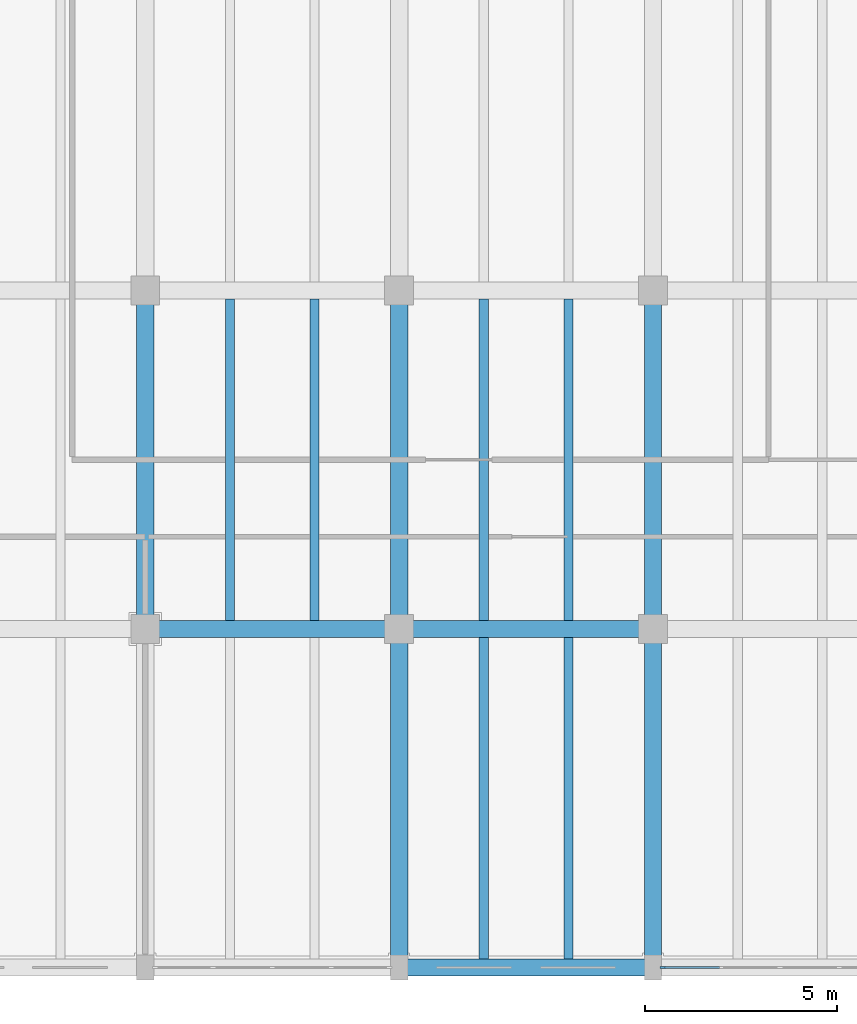
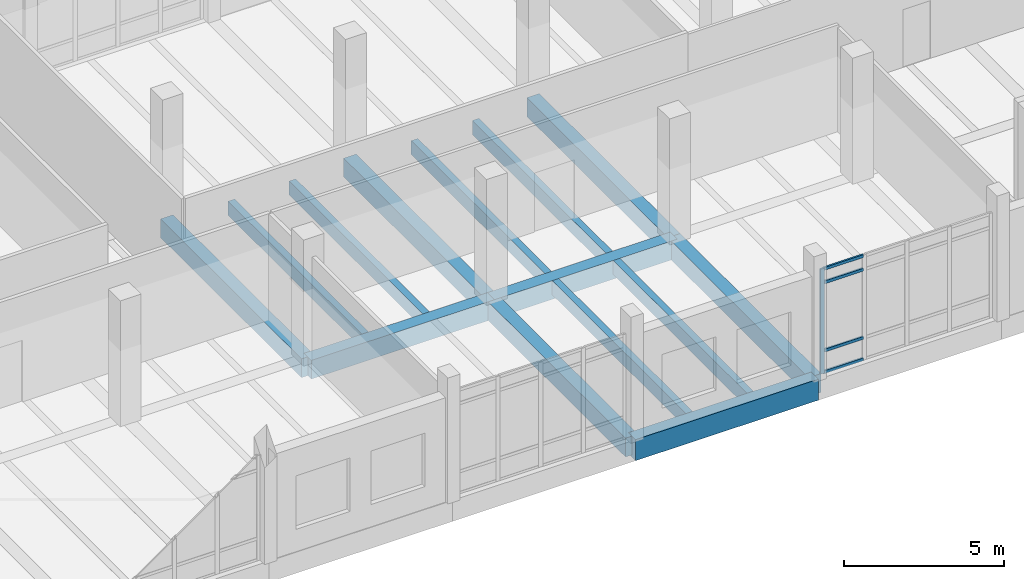
# One storey, part 47 of 125: 14 beams, 5 members, 1 element without a shape of its own.
"""IFC4 building model written with IfcOpenShell, lengths in metres."""

import ifcopenshell
import ifcopenshell.guid

model = None  # the IFC model being written
_history = None  # IfcOwnerHistory: only IFC2X3 demands one
_inside = {}  # id of a spatial element -> (the spatial element, [elements in it])
_under = {}  # id of a project, library or spatial element -> (it, [spatial elements below it])
_declared = {}  # id of a project -> (the project, [libraries it declares])
_typed = {}  # id of a type object -> (the type object, [elements of that type])
_made_of = {}  # id of a material, layer set ... -> (it, [elements and type objects made of it])


def new_model(schema):
    """Start an empty IFC model of exactly this schema.

    Asked for "IFC4X3", IfcOpenShell would pick the latest addendum, in which some entities
    have other attributes; the version numbers below select the first issue.
    IFC2X3 requires an IfcOwnerHistory on every rooted entity: one is made here for all.
    """
    global model, _history
    if schema == "IFC4X3":
        model = ifcopenshell.file(schema_version=(4, 3, 0, 0))
    else:
        model = ifcopenshell.file(schema=schema)
    _inside.clear()
    _under.clear()
    _declared.clear()
    _typed.clear()
    _made_of.clear()
    _history = None
    if model.schema == "IFC2X3":
        org = make("IfcOrganization", Name="unknown")
        user = make(
            "IfcPersonAndOrganization",
            ThePerson=make("IfcPerson", FamilyName="unknown"),
            TheOrganization=org,
        )
        app = make(
            "IfcApplication",
            ApplicationDeveloper=org,
            Version="unknown",
            ApplicationFullName="unknown",
            ApplicationIdentifier="unknown",
        )
        _history = make(
            "IfcOwnerHistory",
            OwningUser=user,
            OwningApplication=app,
            ChangeAction="ADDED",
            CreationDate=0,
        )
    return model


def make(cls, **values):
    """One entity of the class cls with the attributes given. An attribute that is None is left unset."""
    return model.create_entity(
        cls, **{name: value for name, value in values.items() if value is not None}
    )


def rooted(cls, **values):
    """An entity with a GlobalId (a new one), such as an element, a storey or a relation."""
    return make(cls, GlobalId=ifcopenshell.guid.new(), OwnerHistory=_history, **values)


def si_unit(unit_type, name, prefix=None):
    """IfcSIUnit, for example si_unit("LENGTHUNIT", "METRE", prefix="MILLI")."""
    return make("IfcSIUnit", UnitType=unit_type, Prefix=prefix, Name=name)


def assignment(units):
    """IfcUnitAssignment: the units of a project."""
    return None if units is None else make("IfcUnitAssignment", Units=units)


def point(xyz):
    """IfcCartesianPoint."""
    return None if xyz is None else make("IfcCartesianPoint", Coordinates=xyz)


def direction(xyz):
    """IfcDirection."""
    return None if xyz is None else make("IfcDirection", DirectionRatios=xyz)


def frame(location, z_axis=None, x_axis=None):
    """IfcAxis2Placement3D, a coordinate frame: its origin and axes. An axis left out is left unset."""
    return make(
        "IfcAxis2Placement3D",
        Location=point(location),
        Axis=direction(z_axis),
        RefDirection=direction(x_axis),
    )


def frame_2d(location, x_axis=None):
    """IfcAxis2Placement2D, a coordinate frame in the plane: its origin and x axis."""
    return make(
        "IfcAxis2Placement2D", Location=point(location), RefDirection=direction(x_axis)
    )


def origin():
    """The frame at (0, 0, 0) with its axes left unset."""
    return frame((0.0, 0.0, 0.0))


def origin_2d():
    """The frame at (0, 0) in the plane with its x axis left unset."""
    return frame_2d((0.0, 0.0))


def place(relative_to, where):
    """IfcLocalPlacement: puts the frame where relative to a parent placement (None: the world)."""
    return make(
        "IfcLocalPlacement", PlacementRelTo=relative_to, RelativePlacement=where
    )


def context(
    kind, dimensions, precision=None, world=None, true_north=None, identifier=None
):
    """IfcGeometricRepresentationContext, for example the 3D "Model" context."""
    return make(
        "IfcGeometricRepresentationContext",
        ContextIdentifier=identifier,
        ContextType=kind,
        CoordinateSpaceDimension=dimensions,
        Precision=precision,
        WorldCoordinateSystem=world,
        TrueNorth=true_north,
    )


def subcontext(parent, identifier, kind, view, scale=None):
    """IfcGeometricRepresentationSubContext, for example "Body" below "Model"."""
    return make(
        "IfcGeometricRepresentationSubContext",
        ContextIdentifier=identifier,
        ContextType=kind,
        ParentContext=parent,
        TargetScale=scale,
        TargetView=view,
    )


def project(units=None, contexts=None):
    """IfcProject with its units and contexts."""
    return rooted(
        "IfcProject",
        Name="project",
        RepresentationContexts=contexts,
        UnitsInContext=assignment(units),
    )


def spatial(cls, under=None, at=None, **own):
    """A site, building, storey or space (cls), placed at a placement, below another one or the project."""
    s = rooted(cls, ObjectPlacement=at, **own)
    if under is not None:
        _under.setdefault(under.id(), (under, []))[1].append(s)
    return s


def profile(cls, at=None, kind="AREA", **sizes):
    """A parametric profile (cls). Its sizes go by their IFC names, for example OverallWidth=200.0."""
    return make(cls, ProfileType=kind, Position=at, **sizes)


def rectangle(**sizes):
    """IfcRectangleProfileDef."""
    return profile("IfcRectangleProfileDef", **sizes)


def extrude(swept, where, along, depth):
    """IfcExtrudedAreaSolid: the profile swept, set in the frame where, extruded along a direction by depth."""
    return make(
        "IfcExtrudedAreaSolid",
        SweptArea=swept,
        Position=where,
        ExtrudedDirection=direction(along),
        Depth=depth,
    )


def shape(context_of_items, identifier, shape_type, items):
    """IfcShapeRepresentation: the items that make up one representation, for example the "Body"."""
    return make(
        "IfcShapeRepresentation",
        ContextOfItems=context_of_items,
        RepresentationIdentifier=identifier,
        RepresentationType=shape_type,
        Items=items,
    )


def material(Name=None, Category=None):
    """IfcMaterial."""
    return make("IfcMaterial", Name=Name, Category=Category)


def material_profile(
    of_material, cross_section, Name=None, Category=None, Priority=None
):
    """IfcMaterialProfile: a cross section and its material."""
    return make(
        "IfcMaterialProfile",
        Name=Name,
        Material=of_material,
        Profile=cross_section,
        Priority=Priority,
        Category=Category,
    )


def profile_set(profiles, Name=None, composite=None):
    """IfcMaterialProfileSet."""
    return make(
        "IfcMaterialProfileSet",
        Name=Name,
        MaterialProfiles=profiles,
        CompositeProfile=composite,
    )


def made_of(thing, what):
    """Note that an element or type object is made of a material, layer set ...; save() writes the relation."""
    if what is not None:
        _made_of.setdefault(what.id(), (what, []))[1].append(thing)
    return thing


def type_object(cls, material=None, **own):
    """A type object (cls), such as IfcWallType, which elements share."""
    return made_of(rooted(cls, **own), material)


def element(
    cls,
    number,
    at=None,
    inside=None,
    cuts=None,
    type_object=None,
    material=None,
    context=None,
    identifier="Body",
    shape_type=None,
    held_by="IfcProductDefinitionShape",
    body=None,
    shapes=None,
    **own,
):
    """One element of the class cls, such as IfcWall. Its Tag is "e" and its number.

    at: its placement. inside: the storey or other place that contains it. cuts: it is an
    opening in that element (IfcRelVoidsElement). A single representation is given by context,
    identifier, shape_type and body (its items); several are given by shapes. held_by: the class
    of the entity that holds the representations. save() writes the other relations.
    """
    e = rooted(cls, Tag="e%d" % number, ObjectPlacement=at, **own)
    if body is not None:
        shapes = [shape(context, identifier, shape_type, body)]
    if shapes is not None:
        e.Representation = make(held_by, Representations=shapes)
    if inside is not None:
        _inside.setdefault(inside.id(), (inside, []))[1].append(e)
    if cuts is not None:
        rooted(
            "IfcRelVoidsElement", RelatingBuildingElement=cuts, RelatedOpeningElement=e
        )
    if type_object is not None:
        _typed.setdefault(type_object.id(), (type_object, []))[1].append(e)
    return made_of(e, material)


def aggregate(whole, parts):
    """IfcRelAggregates: a whole, such as a stair, and the parts it consists of."""
    return rooted("IfcRelAggregates", RelatingObject=whole, RelatedObjects=parts)


def save(model, path):
    """Write the relations noted so far, then the file.

    IfcRelAggregates (storeys below a building ...), IfcRelContainedInSpatialStructure (elements
    in a storey), IfcRelDefinesByType, IfcRelAssociatesMaterial and IfcRelDeclares: one each for
    every whole, place, type object, material and project.
    """
    for whole, parts in _under.values():
        aggregate(whole, parts)
    for where, things in _inside.values():
        rooted(
            "IfcRelContainedInSpatialStructure",
            RelatedElements=things,
            RelatingStructure=where,
        )
    for kind, things in _typed.values():
        rooted("IfcRelDefinesByType", RelatedObjects=things, RelatingType=kind)
    for what, things in _made_of.values():
        rooted("IfcRelAssociatesMaterial", RelatedObjects=things, RelatingMaterial=what)
    for by, libraries in _declared.values():
        rooted("IfcRelDeclares", RelatingContext=by, RelatedDefinitions=libraries)
    model.write(path)


model = new_model("IFC4")

# Units and contexts
model_context = context("Model", 3, precision=1e-05, world=origin(), true_north=direction((0.0, 1.0)))
body_context = subcontext(model_context, "Body", "Model", "MODEL_VIEW")
ifc_project = project(units=[si_unit("LENGTHUNIT", "METRE"), si_unit("AREAUNIT", "SQUARE_METRE"), si_unit("VOLUMEUNIT", "CUBIC_METRE"), si_unit("PLANEANGLEUNIT", "RADIAN"), si_unit("MASSUNIT", "GRAM", prefix="KILO")], contexts=[model_context])

# Site, building, storey
site_placement = place(None, origin())
site = spatial("IfcSite", under=ifc_project, at=site_placement, CompositionType="ELEMENT")
building_placement = place(site_placement, origin())
building = spatial("IfcBuilding", under=site, at=building_placement, Name="Dornvale Research Institute", CompositionType="ELEMENT")
storey_placement = place(building_placement, frame((0.0, 0.0, 5.39990234375)))
storey = spatial("IfcBuildingStorey", under=building, at=storey_placement, Name="L01", CompositionType="ELEMENT", Elevation=5.39990234375)

# Beams
ifc_material_1 = material(Name="Concrete f'c 45 MPa (C35/45)", Category="concrete")
ifc_material_profile_1 = material_profile(ifc_material_1, rectangle(XDim=0.449951171875, YDim=0.715087890625, at=origin_2d()), Name="RC 450x715")
ifc_profile_set_1 = profile_set([ifc_material_profile_1], Name="Concrete f'c 45 MPa (C35/45)")
beam_type_1 = type_object("IfcBeamType", Name="Beam_RC450x715_Lab", PredefinedType="BEAM", material=ifc_profile_set_1)
beam_1_placement = place(storey_placement, frame((145.199951171875, 8.800048828125, -0.357421875), z_axis=(1.0, 0.0, 0.0), x_axis=(0.0, 1.0, 0.0)))
element("IfcBeam", 1, at=beam_1_placement, inside=storey, type_object=beam_type_1, Name="L01 primary girder #436", PredefinedType="BEAM", context=body_context, shape_type="SweptSolid", body=[
    extrude(rectangle(XDim=0.449951171875, YDim=0.715087890625, at=origin_2d()), origin(), (0.0, 0.0, 1.0), 6.60009765625),
])
beam_2_placement = place(storey_placement, frame((151.800048828125, 8.800048828125, -0.357421875), z_axis=(1.0, 0.0, 0.0), x_axis=(0.0, 1.0, 0.0)))
element("IfcBeam", 2, at=beam_2_placement, inside=storey, type_object=beam_type_1, Name="L01 primary girder #437", PredefinedType="BEAM", context=body_context, shape_type="SweptSolid", body=[
    extrude(rectangle(XDim=0.449951171875, YDim=0.715087890625, at=origin_2d()), origin(), (0.0, 0.0, 1.0), 6.599853515625),
])
for number, where, z_axis, x_axis, name in (
    (3, (145.199951171875, 8.800048828125, -0.357421875), (0.0, 1.0, 0.0), (-1.0, 0.0, 0.0), "L01 transverse girder #486"),
    (4, (151.800048828125, 0.0, -0.357421875), (0.0, 1.0, 0.0), (-1.0, 0.0, 0.0), "L01 transverse girder #488"),
    (5, (151.800048828125, 8.800048828125, -0.357421875), (0.0, 1.0, 0.0), (-1.0, 0.0, 0.0), "L01 transverse girder #489"),
    (6, (158.39990234375, 0.0, -0.357421875), (0.0, 1.0, 0.0), (-1.0, 0.0, 0.0), "L01 transverse girder #491"),
    (7, (158.39990234375, 8.800048828125, -0.357421875), (0.0, 1.0, 0.0), (-1.0, 0.0, 0.0), "L01 transverse girder #492"),
):
    element("IfcBeam", number, at=place(storey_placement, frame(where, z_axis=z_axis, x_axis=x_axis)), inside=storey, type_object=beam_type_1, Name=name, PredefinedType="BEAM", context=body_context, shape_type="SweptSolid", body=[
        extrude(rectangle(XDim=0.449951171875, YDim=0.715087890625, at=origin_2d()), origin(), (0.0, 0.0, 1.0), 8.800048828125),
    ])
ifc_material_2 = material(Name="Concrete f'c 45 MPa (C35/45)", Category="concrete")
ifc_material_profile_2 = material_profile(ifc_material_2, rectangle(XDim=0.239990234375, YDim=0.534912109375, at=origin_2d()), Name="RC 240x535")
ifc_profile_set_2 = profile_set([ifc_material_profile_2], Name="Concrete f'c 45 MPa (C35/45)")
beam_type_2 = type_object("IfcBeamType", Name="Joist_RC240x535_Waffle", PredefinedType="JOIST", material=ifc_profile_set_2)
for number, where, z_axis, x_axis, name in (
    (8, (147.39990234375, 9.02490234375, -0.267333984375), (0.0, 1.0, 0.0), (-1.0, 0.0, 0.0), "L01 laboratory waffle joist #253"),
    (9, (149.60009765625, 9.02490234375, -0.267333984375), (0.0, 1.0, 0.0), (-1.0, 0.0, 0.0), "L01 laboratory waffle joist #254"),
):
    element("IfcBeam", number, at=place(storey_placement, frame(where, z_axis=z_axis, x_axis=x_axis)), inside=storey, type_object=beam_type_2, Name=name, PredefinedType="JOIST", context=body_context, shape_type="SweptSolid", body=[
        extrude(rectangle(XDim=0.239990234375, YDim=0.534912109375, at=origin_2d()), origin(), (0.0, 0.0, 1.0), 8.35009765625),
    ])
for number, where, z_axis, x_axis, name in (
    (10, (154.0, 0.22509765625, -0.267333984375), (0.0, 1.0, 0.0), (-1.0, 0.0, 0.0), "L01 laboratory waffle joist #257"),
    (11, (156.199951171875, 0.22509765625, -0.267333984375), (0.0, 1.0, 0.0), (-1.0, 0.0, 0.0), "L01 laboratory waffle joist #258"),
):
    element("IfcBeam", number, at=place(storey_placement, frame(where, z_axis=z_axis, x_axis=x_axis)), inside=storey, type_object=beam_type_2, Name=name, PredefinedType="JOIST", context=body_context, shape_type="SweptSolid", body=[
        extrude(rectangle(XDim=0.239990234375, YDim=0.534912109375, at=origin_2d()), origin(), (0.0, 0.0, 1.0), 8.349853515625),
    ])
for number, where, z_axis, x_axis, name in (
    (12, (154.0, 9.02490234375, -0.267333984375), (0.0, 1.0, 0.0), (-1.0, 0.0, 0.0), "L01 laboratory waffle joist #259"),
    (13, (156.199951171875, 9.02490234375, -0.267333984375), (0.0, 1.0, 0.0), (-1.0, 0.0, 0.0), "L01 laboratory waffle joist #260"),
):
    element("IfcBeam", number, at=place(storey_placement, frame(where, z_axis=z_axis, x_axis=x_axis)), inside=storey, type_object=beam_type_2, Name=name, PredefinedType="JOIST", context=body_context, shape_type="SweptSolid", body=[
        extrude(rectangle(XDim=0.239990234375, YDim=0.534912109375, at=origin_2d()), origin(), (0.0, 0.0, 1.0), 8.35009765625),
    ])

# Curtain wall, member
ifc_material_3 = material(Name="Low-E Argon Double Insulating Glazing Unit", Category="glass")
curtain_wall_type = type_object("IfcCurtainWallType", Name="UnitisedCurtainWall_V3_6150x4000", PredefinedType="USERDEFINED", material=ifc_material_3)
curtain_wall_placement = place(storey_placement, origin())
curtain_wall = element("IfcCurtainWall", 14, at=curtain_wall_placement, inside=storey, type_object=curtain_wall_type, Name="L01 V3 unitised curtain wall CW-06 #37", ObjectType="UNITISED CURTAIN WALL", PredefinedType="USERDEFINED")
ifc_material_4 = material(Name="Anodized Aluminum AA 6063-T6 Thermally Broken Frame", Category="aluminium")
ifc_material_profile_3 = material_profile(ifc_material_4, rectangle(XDim=0.06494140625, YDim=0.14990234375, at=origin_2d()), Name="ALU MULLION 65x150")
ifc_profile_set_3 = profile_set([ifc_material_profile_3], Name="Anodized Aluminum AA 6063-T6 Thermally Broken Frame")
member_type_1 = type_object("IfcMemberType", Name="Mullion_CW_65x150", PredefinedType="MULLION", material=ifc_profile_set_3)
member_1_placement = place(storey_placement, frame((158.657470703125, 0.0, 0.0), z_axis=(0.0, 0.0, 1.0), x_axis=(0.0, -1.0, 0.0)))
member_1 = element("IfcMember", 15, at=member_1_placement, type_object=member_type_1, Name="CW-06 mullion 5", PredefinedType="MULLION", context=body_context, shape_type="SweptSolid", body=[
    extrude(rectangle(XDim=0.06494140625, YDim=0.14990234375, at=origin_2d()), origin(), (0.0, 0.0, 1.0), 4.0),
])

# Beam
ifc_material_5 = material(Name="Concrete f'c 45 MPa (C35/45)", Category="concrete")
ifc_material_profile_4 = material_profile(ifc_material_5, rectangle(XDim=0.449951171875, YDim=0.800048828125, at=origin_2d()), Name="RC 450x800")
ifc_profile_set_4 = profile_set([ifc_material_profile_4], Name="Concrete f'c 45 MPa (C35/45)")
beam_type_3 = type_object("IfcBeamType", Name="Spandrel_RC450x800_Ext", PredefinedType="SPANDREL", material=ifc_profile_set_4)
beam_3_placement = place(storey_placement, frame((151.800048828125, 0.0, -0.39990234375), z_axis=(1.0, 0.0, 0.0), x_axis=(0.0, 1.0, 0.0)))
element("IfcBeam", 16, at=beam_3_placement, inside=storey, type_object=beam_type_3, Name="L01 perimeter spandrel #425", PredefinedType="SPANDREL", context=body_context, shape_type="SweptSolid", body=[
    extrude(rectangle(XDim=0.449951171875, YDim=0.800048828125, at=origin_2d()), origin(), (0.0, 0.0, 1.0), 6.599853515625),
])

# Member
ifc_material_6 = material(Name="Anodized Aluminum AA 6063-T6 Thermally Broken Frame", Category="aluminium")
ifc_material_profile_5 = material_profile(ifc_material_6, rectangle(XDim=0.06494140625, YDim=0.110107421875, at=origin_2d()), Name="ALU TRANSOM 65x110")
ifc_profile_set_5 = profile_set([ifc_material_profile_5], Name="Anodized Aluminum AA 6063-T6 Thermally Broken Frame")
member_type_2 = type_object("IfcMemberType", Name="Transom_CW_65x110", PredefinedType="USERDEFINED", material=ifc_profile_set_5)
member_2_placement = place(storey_placement, frame((160.1298828125, 0.0, 0.03271484375), z_axis=(-1.0, 0.0, 0.0), x_axis=(0.0, -1.0, 0.0)))
member_2 = element("IfcMember", 17, at=member_2_placement, type_object=member_type_2, Name="CW-06 transom 4.1", ObjectType="TRANSOM", PredefinedType="USERDEFINED", context=body_context, shape_type="SweptSolid", body=[
    extrude(rectangle(XDim=0.06494140625, YDim=0.110107421875, at=origin_2d()), origin(), (0.0, 0.0, 1.0), 1.43994140625),
])

member_3_placement = place(storey_placement, frame((160.1298828125, 0.0, 0.85009765625), z_axis=(-1.0, 0.0, 0.0), x_axis=(0.0, -1.0, 0.0)))
member_3 = element("IfcMember", 18, at=member_3_placement, type_object=member_type_2, Name="CW-06 transom 4.2", ObjectType="TRANSOM", PredefinedType="USERDEFINED", context=body_context, shape_type="SweptSolid", body=[
    extrude(rectangle(XDim=0.06494140625, YDim=0.110107421875, at=origin_2d()), origin(), (0.0, 0.0, 1.0), 1.43994140625),
])

member_4_placement = place(storey_placement, frame((160.1298828125, 0.0, 3.4501953125), z_axis=(-1.0, 0.0, 0.0), x_axis=(0.0, -1.0, 0.0)))
member_4 = element("IfcMember", 19, at=member_4_placement, type_object=member_type_2, Name="CW-06 transom 4.3", ObjectType="TRANSOM", PredefinedType="USERDEFINED", context=body_context, shape_type="SweptSolid", body=[
    extrude(rectangle(XDim=0.06494140625, YDim=0.110107421875, at=origin_2d()), origin(), (0.0, 0.0, 1.0), 1.43994140625),
])

member_5_placement = place(storey_placement, frame((160.1298828125, 0.0, 3.967529296875), z_axis=(-1.0, 0.0, 0.0), x_axis=(0.0, -1.0, 0.0)))
member_5 = element("IfcMember", 20, at=member_5_placement, type_object=member_type_2, Name="CW-06 transom 4.4", ObjectType="TRANSOM", PredefinedType="USERDEFINED", context=body_context, shape_type="SweptSolid", body=[
    extrude(rectangle(XDim=0.06494140625, YDim=0.110107421875, at=origin_2d()), origin(), (0.0, 0.0, 1.0), 1.43994140625),
])

aggregate(curtain_wall, [member_1, member_2, member_3, member_4, member_5])

save(model, "model.ifc")
